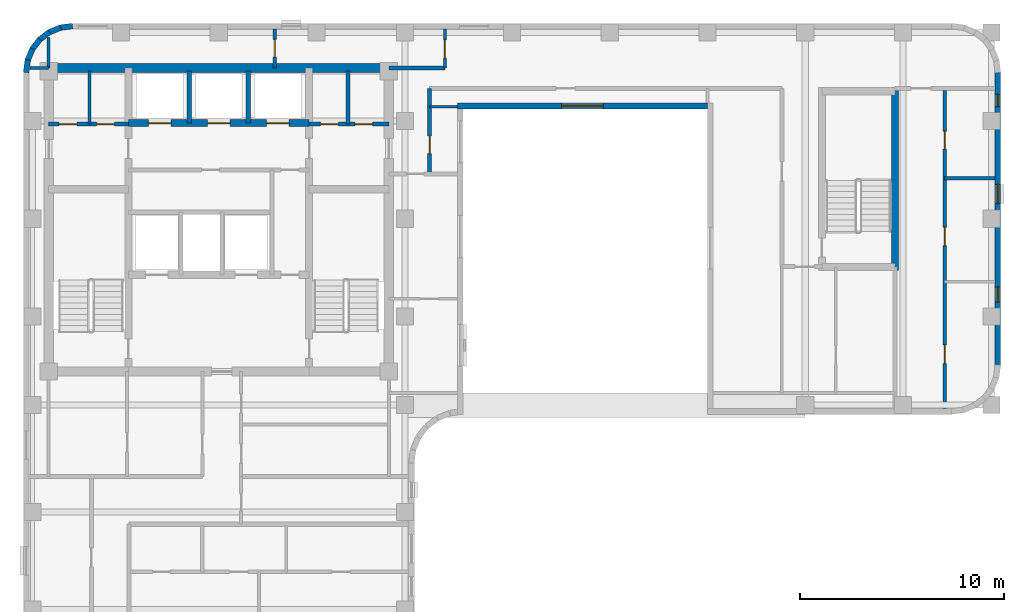
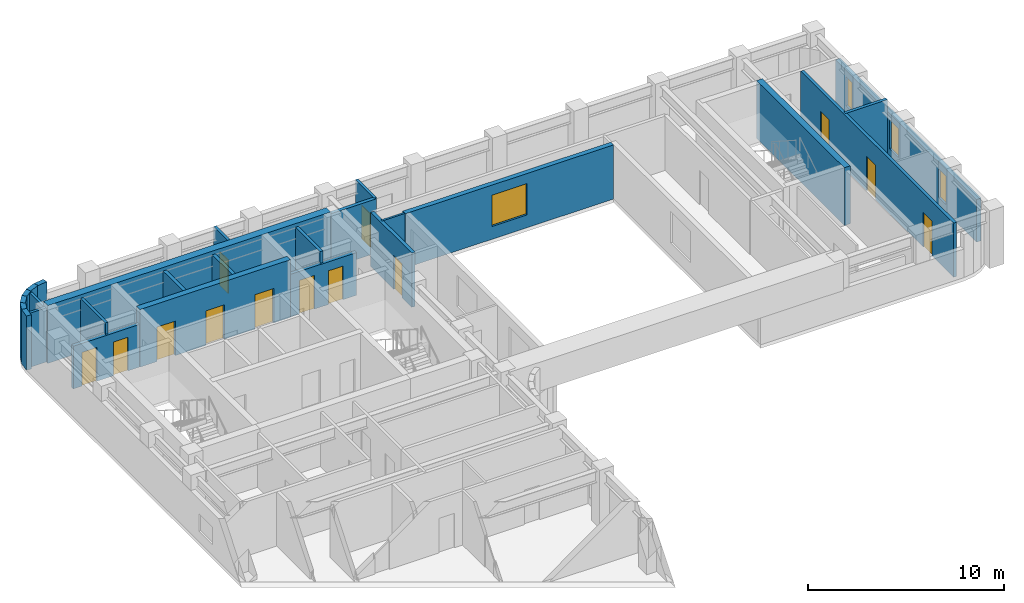
# One storey, part 5 of 8: 26 walls, 13 doors, 4 windows, 17 openings.
"""IFC4 building model written with IfcOpenShell, lengths in metres."""

from ifc_helpers import new_model, si_unit, direction, frame, frame_2d, origin, place, context, subcontext, project, spatial, rectangle, extrude, material, layer, layer_set, type_object, element, fill, save


model = new_model("IFC4")

# Units and contexts
model_context = context("Model", 3, precision=1e-05, world=origin(), true_north=direction((0.0, 1.0)))
body_context = subcontext(model_context, "Body", "Model", "MODEL_VIEW")
ifc_project = project(units=[si_unit("LENGTHUNIT", "METRE"), si_unit("AREAUNIT", "SQUARE_METRE"), si_unit("VOLUMEUNIT", "CUBIC_METRE"), si_unit("PLANEANGLEUNIT", "RADIAN"), si_unit("MASSUNIT", "GRAM", prefix="KILO")], contexts=[model_context])

# Site, building, storey
site_placement = place(None, origin())
site = spatial("IfcSite", under=ifc_project, at=site_placement, CompositionType="ELEMENT")
building_placement = place(site_placement, origin())
building = spatial("IfcBuilding", under=site, at=building_placement, Name="Orvandelia Arch Residences", CompositionType="ELEMENT")
storey_placement = place(building_placement, frame((0.0, 0.0, 203.800048828125)))
storey = spatial("IfcBuildingStorey", under=building, at=storey_placement, Name="L53", CompositionType="ELEMENT", Elevation=203.800048828125)

# Wall, openings, doors
ifc_material_1 = material(Name="Concrete C50/60", Category="concrete")
ifc_layer_1 = layer(ifc_material_1, 0.35009765625, Name="Concrete C50/60", Category="concrete")
ifc_layer_set_1 = layer_set([ifc_layer_1], Name="Concrete C50/60")
wall_type_1 = type_object("IfcWallType", Name="WL-CORE-350", PredefinedType="SHEAR", material=ifc_layer_set_1)
wall_1_placement = place(storey_placement, frame((9.9599609375, 43.10009765625, 0.0), z_axis=(0.0, 0.0, 1.0), x_axis=(1.0, 0.0, 0.0)))
wall_1 = element("IfcWall", 1, at=wall_1_placement, inside=storey, type_object=wall_type_1, Name="Core Shear Wall L53-HZ4", PredefinedType="SHEAR", context=body_context, shape_type="SweptSolid", body=[
    extrude(rectangle(XDim=8.880126953125, YDim=0.35009765625, at=frame_2d((4.43994140625, 0.0))), origin(), (0.0, 0.0, 1.0), 3.599853515625),
])
opening_1_placement = place(wall_1_placement, frame((0.989990234375, 0.0, 0.0)))
opening_1 = element("IfcOpeningElement", 2, at=opening_1_placement, cuts=wall_1, Name="Opening LD", PredefinedType="OPENING", context=body_context, shape_type="SweptSolid", body=[
    extrude(rectangle(XDim=1.10009765625, YDim=2.14990234375, at=frame_2d((0.550048828125, 1.074951171875))), frame((0.0, 0.18505859375, 0.0), z_axis=(0.0, -1.0, 0.0), x_axis=(1.0, 0.0, 0.0)), (0.0, 0.0, 1.0), 0.3701171875),
])
opening_2_placement = place(wall_1_placement, frame((3.889892578125, 0.0, 0.0)))
opening_2 = element("IfcOpeningElement", 3, at=opening_2_placement, cuts=wall_1, Name="Opening LD", PredefinedType="OPENING", context=body_context, shape_type="SweptSolid", body=[
    extrude(rectangle(XDim=1.10009765625, YDim=2.14990234375, at=frame_2d((0.550048828125, 1.074951171875))), frame((0.0, 0.18505859375, 0.0), z_axis=(0.0, -1.0, 0.0), x_axis=(1.0, 0.0, 0.0)), (0.0, 0.0, 1.0), 0.3701171875),
])
opening_3_placement = place(wall_1_placement, frame((6.7900390625, 0.0, 0.0)))
opening_3 = element("IfcOpeningElement", 4, at=opening_3_placement, cuts=wall_1, Name="Opening LD", PredefinedType="OPENING", context=body_context, shape_type="SweptSolid", body=[
    extrude(rectangle(XDim=1.10009765625, YDim=2.14990234375, at=frame_2d((0.550048828125, 1.074951171875))), frame((0.0, 0.18505859375, 0.0), z_axis=(0.0, -1.0, 0.0), x_axis=(1.0, 0.0, 0.0)), (0.0, 0.0, 1.0), 0.3701171875),
])
ifc_material_2 = material(Name="Brushed Stainless Steel Sliding Lift Door", Category="steel")
door_type_1 = type_object("IfcDoorType", Name="DR-LIFT-1100", OperationType="NOTDEFINED", PredefinedType="DOOR", material=ifc_material_2)
door_1_placement = place(opening_1_placement, origin())
door_1 = element("IfcDoor", 5, at=door_1_placement, inside=storey, type_object=door_type_1, Name="Lift Landing Door LD-PH1-L53", OperationType="SLIDING_TO_LEFT", OverallHeight=2.14990234375, OverallWidth=1.10009765625, PredefinedType="DOOR", context=body_context, shape_type="SweptSolid", body=[
    extrude(rectangle(XDim=1.10009765625, YDim=2.14990234375, at=frame_2d((0.550048828125, 1.074951171875))), frame((0.0, 0.02490234375, 0.0), z_axis=(0.0, -1.0, 0.0), x_axis=(1.0, 0.0, 0.0)), (0.0, 0.0, 1.0), 0.050048828125),
])
fill(opening_1, door_1)
door_2_placement = place(opening_2_placement, origin())
door_2 = element("IfcDoor", 6, at=door_2_placement, inside=storey, type_object=door_type_1, Name="Lift Landing Door LD-PH2-L53", OperationType="SLIDING_TO_RIGHT", OverallHeight=2.14990234375, OverallWidth=1.10009765625, PredefinedType="DOOR", context=body_context, shape_type="SweptSolid", body=[
    extrude(rectangle(XDim=1.10009765625, YDim=2.14990234375, at=frame_2d((0.550048828125, 1.074951171875))), frame((0.0, 0.02490234375, 0.0), z_axis=(0.0, -1.0, 0.0), x_axis=(1.0, 0.0, 0.0)), (0.0, 0.0, 1.0), 0.050048828125),
])
fill(opening_2, door_2)
door_3_placement = place(opening_3_placement, origin())
door_3 = element("IfcDoor", 7, at=door_3_placement, inside=storey, type_object=door_type_1, Name="Lift Landing Door LD-PH3-L53", OperationType="SLIDING_TO_LEFT", OverallHeight=2.14990234375, OverallWidth=1.10009765625, PredefinedType="DOOR", context=body_context, shape_type="SweptSolid", body=[
    extrude(rectangle(XDim=1.10009765625, YDim=2.14990234375, at=frame_2d((0.550048828125, 1.074951171875))), frame((0.0, 0.02490234375, 0.0), z_axis=(0.0, -1.0, 0.0), x_axis=(1.0, 0.0, 0.0)), (0.0, 0.0, 1.0), 0.050048828125),
])
fill(opening_3, door_3)

# Walls
wall_2_placement = place(storey_placement, frame((47.60009765625, 35.864990234375, 0.0), z_axis=(0.0, 0.0, 1.0), x_axis=(0.0, 1.0, 0.0)))
element("IfcWall", 8, at=wall_2_placement, inside=storey, type_object=wall_type_1, Name="East Stair Core Shear Wall L53-E", PredefinedType="SHEAR", context=body_context, shape_type="SweptSolid", body=[
    extrude(rectangle(XDim=8.969970703125, YDim=0.35009765625, at=frame_2d((4.48486328125, 0.0))), origin(), (0.0, 0.0, 1.0), 3.599853515625),
])
ifc_layer_2 = layer(ifc_material_1, 0.449951171875, Name="Concrete C50/60", Category="concrete")
ifc_layer_set_2 = layer_set([ifc_layer_2], Name="Concrete C50/60")
wall_type_2 = type_object("IfcWallType", Name="WL-CORE-450", PredefinedType="SHEAR", material=ifc_layer_set_2)
wall_3_placement = place(storey_placement, frame((6.050048828125, 45.800048828125, 0.0), z_axis=(0.0, 0.0, 1.0), x_axis=(1.0, 0.0, 0.0)))
element("IfcWall", 9, at=wall_3_placement, inside=storey, type_object=wall_type_2, Name="Core Shear Wall L53-N", PredefinedType="SHEAR", context=body_context, shape_type="SweptSolid", body=[
    extrude(rectangle(XDim=16.699951171875, YDim=0.449951171875, at=frame_2d((8.35009765625, 0.0))), origin(), (0.0, 0.0, 1.0), 3.599853515625),
])
ifc_material_3 = material(Name="Fire-Rated Corridor Partition")
ifc_layer_3 = layer(ifc_material_3, 0.199951171875, Name="Fire-Rated Corridor Partition")
ifc_layer_set_3 = layer_set([ifc_layer_3], Name="Fire-Rated Corridor Partition")
wall_type_3 = type_object("IfcWallType", Name="WL-CORR-200", PredefinedType="PARTITIONING", material=ifc_layer_set_3)
wall_4_placement = place(storey_placement, frame((22.75, 45.800048828125, 0.0), z_axis=(0.0, 0.0, 1.0), x_axis=(1.0, 0.0, 0.0)))
element("IfcWall", 10, at=wall_4_placement, inside=storey, type_object=wall_type_3, Name="Interior Partition Wall WL-L53-NCE-S", PredefinedType="PARTITIONING", context=body_context, shape_type="SweptSolid", body=[
    extrude(rectangle(XDim=2.75, YDim=0.199951171875, at=frame_2d((1.375, 0.0))), origin(), (0.0, 0.0, 1.0), 3.3798828125),
])

# Wall, opening, door
wall_5_placement = place(storey_placement, frame((24.75, 40.60009765625, 0.0), z_axis=(0.0, 0.0, 1.0), x_axis=(0.0, 1.0, 0.0)))
wall_5 = element("IfcWall", 11, at=wall_5_placement, inside=storey, type_object=wall_type_3, Name="Interior Partition Wall WL-L53-ENP-LW", PredefinedType="PARTITIONING", context=body_context, shape_type="SweptSolid", body=[
    extrude(rectangle(XDim=4.199951171875, YDim=0.199951171875, at=frame_2d((2.10009765625, 0.0))), origin(), (0.0, 0.0, 1.0), 3.3798828125),
])
opening_4_placement = place(wall_5_placement, frame((1.0, 0.0, 0.0)))
opening_4 = element("IfcOpeningElement", 12, at=opening_4_placement, cuts=wall_5, Name="Opening D4", PredefinedType="OPENING", context=body_context, shape_type="SweptSolid", body=[
    extrude(rectangle(XDim=0.860107421875, YDim=2.10009765625, at=frame_2d((0.43017578125, 1.050048828125))), frame((0.0, 0.10986328125, 0.0), z_axis=(0.0, -1.0, 0.0), x_axis=(1.0, 0.0, 0.0)), (0.0, 0.0, 1.0), 0.219970703125),
])
ifc_material_4 = material(Name="Moisture-Sealed Timber Bathroom Door", Category="wood")
door_type_2 = type_object("IfcDoorType", Name="DR-WET-900", OperationType="NOTDEFINED", PredefinedType="DOOR", material=ifc_material_4)
door_4_placement = place(opening_4_placement, origin())
door_4 = element("IfcDoor", 13, at=door_4_placement, inside=storey, type_object=door_type_2, Name="DR-L53-VPWNK", OperationType="SINGLE_SWING_RIGHT", OverallHeight=2.10009765625, OverallWidth=0.860107421875, PredefinedType="DOOR", context=body_context, shape_type="SweptSolid", body=[
    extrude(rectangle(XDim=0.860107421875, YDim=2.10009765625, at=frame_2d((0.43017578125, 1.050048828125))), frame((0.0, 0.02490234375, 0.0), z_axis=(0.0, -1.0, 0.0), x_axis=(1.0, 0.0, 0.0)), (0.0, 0.0, 1.0), 0.050048828125),
])
fill(opening_4, door_4)

# Walls
ifc_material_5 = material(Name="Precast concrete C40/50", Category="concrete")
ifc_layer_4 = layer(ifc_material_5, 0.280029296875, Name="Precast concrete C40/50", Category="concrete")
ifc_layer_set_4 = layer_set([ifc_layer_4], Name="Precast concrete C40/50")
wall_type_4 = type_object("IfcWallType", Name="WL-EXT-STONE-280", PredefinedType="STANDARD", material=ifc_layer_set_4)
for number, where, z_axis, x_axis, name in (
    (14, (4.938720703125, 45.581787109375, 0.0), (0.0, 0.0, 1.0), (0.130555323746, 0.9914410257, 0.0), "Coral-Limestone Precast Facade Wall L53-001"),
    (15, (5.010986328125, 46.16748046875, 0.0), (0.0, 0.0, 1.0), (0.382650053678, 0.92389335771, 0.0), "Coral-Limestone Precast Facade Wall L53-002"),
    (16, (5.232666015625, 46.71484375, 0.0), (0.0, 0.0, 1.0), (0.608693302629, 0.793405610854, 0.0), "Coral-Limestone Precast Facade Wall L53-003"),
    (17, (5.588134765625, 47.18603515625, 0.0), (0.0, 0.0, 1.0), (0.793405610854, 0.608693302629, 0.0), "Coral-Limestone Precast Facade Wall L53-004"),
):
    element("IfcWall", number, at=place(storey_placement, frame(where, z_axis=z_axis, x_axis=x_axis)), inside=storey, type_object=wall_type_4, Name=name, PredefinedType="STANDARD", context=body_context, shape_type="SweptSolid", body=[
        extrude(rectangle(XDim=0.62646484375, YDim=0.280029296875, at=frame_2d((0.313232421875, 0.0))), origin(), (0.0, 0.0, 1.0), 3.3798828125),
    ])
wall_6_placement = place(storey_placement, frame((6.0537109375, 47.54931640625, 0.0), z_axis=(0.0, 0.0, 1.0), x_axis=(0.923974080304, 0.382455093999, 0.0)))
element("IfcWall", 18, at=wall_6_placement, inside=storey, type_object=wall_type_4, Name="Coral-Limestone Precast Facade Wall L53-005", PredefinedType="STANDARD", context=body_context, shape_type="SweptSolid", body=[
    extrude(rectangle(XDim=0.626220703125, YDim=0.280029296875, at=frame_2d((0.31298828125, 0.0))), origin(), (0.0, 0.0, 1.0), 3.3798828125),
])
wall_7_placement = place(storey_placement, frame((6.59716796875, 47.779296875, 0.0), z_axis=(0.0, 0.0, 1.0), x_axis=(0.9914410257, 0.130555323746, 0.0)))
element("IfcWall", 19, at=wall_7_placement, inside=storey, type_object=wall_type_4, Name="Coral-Limestone Precast Facade Wall L53-006", PredefinedType="STANDARD", context=body_context, shape_type="SweptSolid", body=[
    extrude(rectangle(XDim=0.62646484375, YDim=0.280029296875, at=frame_2d((0.313232421875, 0.0))), origin(), (0.0, 0.0, 1.0), 3.3798828125),
])

# Wall, openings, windows
wall_8_placement = place(storey_placement, frame((52.659912109375, 45.60009765625, 0.0), z_axis=(0.0, 0.0, 1.0), x_axis=(0.0, -1.0, 0.0)))
wall_8 = element("IfcWall", 20, at=wall_8_placement, inside=storey, type_object=wall_type_4, Name="Coral-Limestone Precast Facade Wall L53-014", PredefinedType="STANDARD", context=body_context, shape_type="SweptSolid", body=[
    extrude(rectangle(XDim=14.400146484375, YDim=0.280029296875, at=frame_2d((7.2001953125, 0.0))), origin(), (0.0, 0.0, 1.0), 2.659912109375),
])
opening_5_placement = place(wall_8_placement, frame((10.54443359375, 0.0, 0.449951171875)))
opening_5 = element("IfcOpeningElement", 21, at=opening_5_placement, cuts=wall_8, Name="Opening W11", PredefinedType="OPENING", context=body_context, shape_type="SweptSolid", body=[
    extrude(rectangle(XDim=0.75, YDim=1.800048828125, at=frame_2d((0.375, 0.89990234375))), frame((0.0, 0.14990234375, 0.0), z_axis=(0.0, -1.0, 0.0), x_axis=(1.0, 0.0, 0.0)), (0.0, 0.0, 1.0), 0.300048828125),
])
opening_6_placement = place(wall_8_placement, frame((1.08740234375, 0.0, 0.449951171875)))
opening_6 = element("IfcOpeningElement", 22, at=opening_6_placement, cuts=wall_8, Name="Opening W12", PredefinedType="OPENING", context=body_context, shape_type="SweptSolid", body=[
    extrude(rectangle(XDim=0.60009765625, YDim=1.800048828125, at=frame_2d((0.300048828125, 0.89990234375))), frame((0.0, 0.14990234375, 0.0), z_axis=(0.0, -1.0, 0.0), x_axis=(1.0, 0.0, 0.0)), (0.0, 0.0, 1.0), 0.300048828125),
])
opening_7_placement = place(wall_8_placement, frame((5.510986328125, 0.0, 0.449951171875)))
opening_7 = element("IfcOpeningElement", 23, at=opening_7_placement, cuts=wall_8, Name="Opening W4", PredefinedType="OPENING", context=body_context, shape_type="SweptSolid", body=[
    extrude(rectangle(XDim=0.949951171875, YDim=1.800048828125, at=frame_2d((0.47509765625, 0.89990234375))), frame((0.0, 0.14990234375, 0.0), z_axis=(0.0, -1.0, 0.0), x_axis=(1.0, 0.0, 0.0)), (0.0, 0.0, 1.0), 0.300048828125),
])
ifc_material_6 = material(Name="Tempered Low-E Insulated Glazing", Category="glass")
window_type_1 = type_object("IfcWindowType", Name="WIN-BED-0750x1800", PartitioningType="SINGLE_PANEL", PredefinedType="WINDOW", material=ifc_material_6)
window_1_placement = place(opening_5_placement, origin())
window_1 = element("IfcWindow", 24, at=window_1_placement, inside=storey, type_object=window_type_1, Name="Recessed Punched Window L53-004", OverallHeight=1.800048828125, OverallWidth=0.75, PartitioningType="SINGLE_PANEL", PredefinedType="WINDOW", context=body_context, shape_type="SweptSolid", body=[
    extrude(rectangle(XDim=0.75, YDim=1.800048828125, at=frame_2d((0.375, 0.89990234375))), frame((0.0, 0.030029296875, 0.0), z_axis=(0.0, -1.0, 0.0), x_axis=(1.0, 0.0, 0.0)), (0.0, 0.0, 1.0), 0.06005859375),
])
fill(opening_5, window_1)
window_type_2 = type_object("IfcWindowType", Name="WIN-LAN-0600x1800", PartitioningType="SINGLE_PANEL", PredefinedType="WINDOW", material=ifc_material_6)
window_2_placement = place(opening_6_placement, origin())
window_2 = element("IfcWindow", 25, at=window_2_placement, inside=storey, type_object=window_type_2, Name="Recessed Punched Window L53-005", OverallHeight=1.800048828125, OverallWidth=0.60009765625, PartitioningType="SINGLE_PANEL", PredefinedType="WINDOW", context=body_context, shape_type="SweptSolid", body=[
    extrude(rectangle(XDim=0.60009765625, YDim=1.800048828125, at=frame_2d((0.300048828125, 0.89990234375))), frame((0.0, 0.030029296875, 0.0), z_axis=(0.0, -1.0, 0.0), x_axis=(1.0, 0.0, 0.0)), (0.0, 0.0, 1.0), 0.06005859375),
])
fill(opening_6, window_2)
window_type_3 = type_object("IfcWindowType", Name="WIN-RES-0950x1800", PartitioningType="SINGLE_PANEL", PredefinedType="WINDOW", material=ifc_material_6)
window_3_placement = place(opening_7_placement, origin())
window_3 = element("IfcWindow", 26, at=window_3_placement, inside=storey, type_object=window_type_3, Name="Recessed Punched Window L53-006", OverallHeight=1.800048828125, OverallWidth=0.949951171875, PartitioningType="SINGLE_PANEL", PredefinedType="WINDOW", context=body_context, shape_type="SweptSolid", body=[
    extrude(rectangle(XDim=0.949951171875, YDim=1.800048828125, at=frame_2d((0.47509765625, 0.89990234375))), frame((0.0, 0.030029296875, 0.0), z_axis=(0.0, -1.0, 0.0), x_axis=(1.0, 0.0, 0.0)), (0.0, 0.0, 1.0), 0.06005859375),
])
fill(opening_7, window_3)

# Wall, opening, window
wall_9_placement = place(storey_placement, frame((38.39990234375, 43.93994140625, 0.0), z_axis=(0.0, 0.0, 1.0), x_axis=(-1.0, 0.0, 0.0)))
wall_9 = element("IfcWall", 27, at=wall_9_placement, inside=storey, type_object=wall_type_4, Name="Coral-Limestone Precast Facade Wall L53-023", PredefinedType="STANDARD", context=body_context, shape_type="SweptSolid", body=[
    extrude(rectangle(XDim=12.27978515625, YDim=0.280029296875, at=frame_2d((6.139892578125, 0.0))), origin(), (0.0, 0.0, 1.0), 3.3798828125),
])
opening_8_placement = place(wall_9_placement, frame((5.114990234375, 0.0, 0.800048828125)))
opening_8 = element("IfcOpeningElement", 28, at=opening_8_placement, cuts=wall_9, Name="Opening W8", PredefinedType="OPENING", context=body_context, shape_type="SweptSolid", body=[
    extrude(rectangle(XDim=2.050048828125, YDim=1.949951171875, at=frame_2d((1.02490234375, 0.97509765625))), frame((0.0, 0.14990234375, 0.0), z_axis=(0.0, -1.0, 0.0), x_axis=(1.0, 0.0, 0.0)), (0.0, 0.0, 1.0), 0.300048828125),
])
window_type_4 = type_object("IfcWindowType", Name="WIN-UPP-2050x1950", PartitioningType="SINGLE_PANEL", PredefinedType="WINDOW", material=ifc_material_6)
window_4_placement = place(opening_8_placement, origin())
window_4 = element("IfcWindow", 29, at=window_4_placement, inside=storey, type_object=window_type_4, Name="Recessed Punched Window L53-008", OverallHeight=1.949951171875, OverallWidth=2.050048828125, PartitioningType="SINGLE_PANEL", PredefinedType="WINDOW", context=body_context, shape_type="SweptSolid", body=[
    extrude(rectangle(XDim=2.050048828125, YDim=1.949951171875, at=frame_2d((1.02490234375, 0.97509765625))), frame((0.0, 0.030029296875, 0.0), z_axis=(0.0, -1.0, 0.0), x_axis=(1.0, 0.0, 0.0)), (0.0, 0.0, 1.0), 0.06005859375),
])
fill(opening_8, window_4)

# Walls
ifc_material_7 = material(Name="Lightweight Gypsum Stud Partition")
ifc_layer_5 = layer(ifc_material_7, 0.1201171875, Name="Lightweight Gypsum Stud Partition")
ifc_layer_set_5 = layer_set([ifc_layer_5], Name="Lightweight Gypsum Stud Partition")
wall_type_5 = type_object("IfcWallType", Name="WL-PART-120", PredefinedType="PARTITIONING", material=ifc_layer_set_5)
wall_10_placement = place(storey_placement, frame((24.75, 43.89990234375, 0.0), z_axis=(0.0, 0.0, 1.0), x_axis=(1.0, 0.0, 0.0)))
element("IfcWall", 30, at=wall_10_placement, inside=storey, type_object=wall_type_5, Name="Interior Partition Wall WL-L53-VPWNK-N", PredefinedType="PARTITIONING", context=body_context, shape_type="SweptSolid", body=[
    extrude(rectangle(XDim=1.3701171875, YDim=0.1201171875, at=frame_2d((0.68505859375, 0.0))), origin(), (0.0, 0.0, 1.0), 3.3798828125),
])
ifc_material_8 = material(Name="Acoustic Gypsum Stud Partition")
ifc_layer_6 = layer(ifc_material_8, 0.14990234375, Name="Acoustic Gypsum Stud Partition")
ifc_layer_set_6 = layer_set([ifc_layer_6], Name="Acoustic Gypsum Stud Partition")
wall_type_6 = type_object("IfcWallType", Name="WL-PART-150", PredefinedType="PARTITIONING", material=ifc_layer_set_6)
wall_11_placement = place(storey_placement, frame((8.06005859375, 43.050048828125, 0.0), z_axis=(0.0, 0.0, 1.0), x_axis=(0.0, 1.0, 0.0)))
element("IfcWall", 31, at=wall_11_placement, inside=storey, type_object=wall_type_6, Name="Interior Partition Wall WL-L53-CRELC-M", PredefinedType="PARTITIONING", context=body_context, shape_type="SweptSolid", body=[
    extrude(rectangle(XDim=2.599853515625, YDim=0.14990234375, at=frame_2d((1.2998046875, 0.0))), origin(), (0.0, 0.0, 1.0), 3.3798828125),
])
wall_12_placement = place(storey_placement, frame((5.1201171875, 45.800048828125, 0.0), z_axis=(0.0, 0.0, 1.0), x_axis=(1.0, 0.0, 0.0)))
element("IfcWall", 32, at=wall_12_placement, inside=storey, type_object=wall_type_6, Name="Interior Partition Wall WL-L53-WF-N", PredefinedType="PARTITIONING", context=body_context, shape_type="SweptSolid", body=[
    extrude(rectangle(XDim=0.929931640625, YDim=0.14990234375, at=frame_2d((0.46484375, 0.0))), origin(), (0.0, 0.0, 1.0), 3.3798828125),
])

# Wall, opening, door
wall_13_placement = place(storey_placement, frame((25.5, 45.800048828125, 0.0), z_axis=(0.0, 0.0, 1.0), x_axis=(0.0, 1.0, 0.0)))
wall_13 = element("IfcWall", 33, at=wall_13_placement, inside=storey, type_object=wall_type_6, Name="Interior Partition Wall WL-L53-NCE-W", PredefinedType="PARTITIONING", context=body_context, shape_type="SweptSolid", body=[
    extrude(rectangle(XDim=1.919921875, YDim=0.14990234375, at=frame_2d((0.9599609375, 0.0))), origin(), (0.0, 0.0, 1.0), 3.3798828125),
])
opening_9_placement = place(wall_13_placement, frame((0.5, 0.0, 0.0)))
opening_9 = element("IfcOpeningElement", 34, at=opening_9_placement, cuts=wall_13, Name="Opening D5", PredefinedType="OPENING", context=body_context, shape_type="SweptSolid", body=[
    extrude(rectangle(XDim=0.8798828125, YDim=2.10009765625, at=frame_2d((0.43994140625, 1.050048828125))), frame((0.0, 0.0849609375, 0.0), z_axis=(0.0, -1.0, 0.0), x_axis=(1.0, 0.0, 0.0)), (0.0, 0.0, 1.0), 0.169921875),
])
ifc_material_9 = material(Name="Painted Galvanised Steel Service Door", Category="steel")
door_type_3 = type_object("IfcDoorType", Name="DR-SRV-880", OperationType="NOTDEFINED", PredefinedType="DOOR", material=ifc_material_9)
door_5_placement = place(opening_9_placement, origin())
door_5 = element("IfcDoor", 35, at=door_5_placement, inside=storey, type_object=door_type_3, Name="DR-L53-NCS2", OperationType="SINGLE_SWING_LEFT", OverallHeight=2.10009765625, OverallWidth=0.8798828125, PredefinedType="DOOR", context=body_context, shape_type="SweptSolid", body=[
    extrude(rectangle(XDim=0.8798828125, YDim=2.10009765625, at=frame_2d((0.43994140625, 1.050048828125))), frame((0.0, 0.02490234375, 0.0), z_axis=(0.0, -1.0, 0.0), x_axis=(1.0, 0.0, 0.0)), (0.0, 0.0, 1.0), 0.050048828125),
])
fill(opening_9, door_5)

# Wall
wall_14_placement = place(storey_placement, frame((6.050048828125, 45.800048828125, 0.0), z_axis=(0.0, 0.0, 1.0), x_axis=(0.0, 1.0, 0.0)))
element("IfcWall", 36, at=wall_14_placement, inside=storey, type_object=wall_type_6, Name="Interior Partition Wall WL-L53-NC-W6", PredefinedType="PARTITIONING", context=body_context, shape_type="SweptSolid", body=[
    extrude(rectangle(XDim=1.5, YDim=0.14990234375, at=frame_2d((0.75, 0.0))), origin(), (0.0, 0.0, 1.0), 3.3798828125),
])

# Wall, opening, door
wall_15_placement = place(storey_placement, frame((17.14990234375, 45.800048828125, 0.0), z_axis=(0.0, 0.0, 1.0), x_axis=(0.0, 1.0, 0.0)))
wall_15 = element("IfcWall", 37, at=wall_15_placement, inside=storey, type_object=wall_type_6, Name="Interior Partition Wall WL-L53-NC-M", PredefinedType="PARTITIONING", context=body_context, shape_type="SweptSolid", body=[
    extrude(rectangle(XDim=1.919921875, YDim=0.14990234375, at=frame_2d((0.9599609375, 0.0))), origin(), (0.0, 0.0, 1.0), 3.3798828125),
])
opening_10_placement = place(wall_15_placement, frame((0.550048828125, 0.0, 0.0)))
opening_10 = element("IfcOpeningElement", 38, at=opening_10_placement, cuts=wall_15, Name="Opening D4", PredefinedType="OPENING", context=body_context, shape_type="SweptSolid", body=[
    extrude(rectangle(XDim=0.860107421875, YDim=2.10009765625, at=frame_2d((0.43017578125, 1.050048828125))), frame((0.0, 0.0849609375, 0.0), z_axis=(0.0, -1.0, 0.0), x_axis=(1.0, 0.0, 0.0)), (0.0, 0.0, 1.0), 0.169921875),
])
door_6_placement = place(opening_10_placement, origin())
door_6 = element("IfcDoor", 39, at=door_6_placement, inside=storey, type_object=door_type_2, Name="DR-L53-NCS1", OperationType="SINGLE_SWING_LEFT", OverallHeight=2.10009765625, OverallWidth=0.860107421875, PredefinedType="DOOR", context=body_context, shape_type="SweptSolid", body=[
    extrude(rectangle(XDim=0.860107421875, YDim=2.10009765625, at=frame_2d((0.43017578125, 1.050048828125))), frame((0.0, 0.02490234375, 0.0), z_axis=(0.0, -1.0, 0.0), x_axis=(1.0, 0.0, 0.0)), (0.0, 0.0, 1.0), 0.050048828125),
])
fill(opening_10, door_6)

# Wall, openings, doors
ifc_material_10 = material(Name="Fire-Rated Shaft Enclosure Wall")
ifc_layer_7 = layer(ifc_material_10, 0.199951171875, Name="Fire-Rated Shaft Enclosure Wall")
ifc_layer_set_7 = layer_set([ifc_layer_7], Name="Fire-Rated Shaft Enclosure Wall")
wall_type_7 = type_object("IfcWallType", Name="WL-SHAFT-200", PredefinedType="POLYGONAL", material=ifc_layer_set_7)
wall_16_placement = place(storey_placement, frame((18.840087890625, 43.050048828125, 0.0), z_axis=(0.0, 0.0, 1.0), x_axis=(1.0, 0.0, 0.0)))
wall_16 = element("IfcWall", 40, at=wall_16_placement, inside=storey, type_object=wall_type_7, Name="Interior Partition Wall WL-L53-HLE-N", PredefinedType="POLYGONAL", context=body_context, shape_type="SweptSolid", body=[
    extrude(rectangle(XDim=3.909912109375, YDim=0.199951171875, at=frame_2d((1.955078125, 0.0))), origin(), (0.0, 0.0, 1.0), 2.659912109375),
])
opening_11_placement = place(wall_16_placement, frame((0.550048828125, 0.0, 0.0)))
opening_11 = element("IfcOpeningElement", 41, at=opening_11_placement, cuts=wall_16, Name="Opening D5", PredefinedType="OPENING", context=body_context, shape_type="SweptSolid", body=[
    extrude(rectangle(XDim=0.8798828125, YDim=2.10009765625, at=frame_2d((0.43994140625, 1.050048828125))), frame((0.0, 0.10986328125, 0.0), z_axis=(0.0, -1.0, 0.0), x_axis=(1.0, 0.0, 0.0)), (0.0, 0.0, 1.0), 0.219970703125),
])
opening_12_placement = place(wall_16_placement, frame((2.25, 0.0, 0.0)))
opening_12 = element("IfcOpeningElement", 42, at=opening_12_placement, cuts=wall_16, Name="Opening D4", PredefinedType="OPENING", context=body_context, shape_type="SweptSolid", body=[
    extrude(rectangle(XDim=0.860107421875, YDim=2.10009765625, at=frame_2d((0.43017578125, 1.050048828125))), frame((0.0, 0.10986328125, 0.0), z_axis=(0.0, -1.0, 0.0), x_axis=(1.0, 0.0, 0.0)), (0.0, 0.0, 1.0), 0.219970703125),
])
door_7_placement = place(opening_11_placement, origin())
door_7 = element("IfcDoor", 43, at=door_7_placement, inside=storey, type_object=door_type_3, Name="DR-L53-CSB1", OperationType="SINGLE_SWING_LEFT", OverallHeight=2.10009765625, OverallWidth=0.8798828125, PredefinedType="DOOR", context=body_context, shape_type="SweptSolid", body=[
    extrude(rectangle(XDim=0.8798828125, YDim=2.10009765625, at=frame_2d((0.43994140625, 1.050048828125))), frame((0.0, 0.02490234375, 0.0), z_axis=(0.0, -1.0, 0.0), x_axis=(1.0, 0.0, 0.0)), (0.0, 0.0, 1.0), 0.050048828125),
])
fill(opening_11, door_7)
door_8_placement = place(opening_12_placement, origin())
door_8 = element("IfcDoor", 44, at=door_8_placement, inside=storey, type_object=door_type_2, Name="DR-L53-CSB2", OperationType="SINGLE_SWING_RIGHT", OverallHeight=2.10009765625, OverallWidth=0.860107421875, PredefinedType="DOOR", context=body_context, shape_type="SweptSolid", body=[
    extrude(rectangle(XDim=0.860107421875, YDim=2.10009765625, at=frame_2d((0.43017578125, 1.050048828125))), frame((0.0, 0.02490234375, 0.0), z_axis=(0.0, -1.0, 0.0), x_axis=(1.0, 0.0, 0.0)), (0.0, 0.0, 1.0), 0.050048828125),
])
fill(opening_12, door_8)

wall_17_placement = place(storey_placement, frame((6.050048828125, 43.050048828125, 0.0), z_axis=(0.0, 0.0, 1.0), x_axis=(1.0, 0.0, 0.0)))
wall_17 = element("IfcWall", 45, at=wall_17_placement, inside=storey, type_object=wall_type_7, Name="Interior Partition Wall WL-L53-HLW-N", PredefinedType="POLYGONAL", context=body_context, shape_type="SweptSolid", body=[
    extrude(rectangle(XDim=3.909912109375, YDim=0.199951171875, at=frame_2d((1.955078125, 0.0))), origin(), (0.0, 0.0, 1.0), 2.659912109375),
])
opening_13_placement = place(wall_17_placement, frame((0.5, 0.0, 0.0)))
opening_13 = element("IfcOpeningElement", 46, at=opening_13_placement, cuts=wall_17, Name="Opening D5", PredefinedType="OPENING", context=body_context, shape_type="SweptSolid", body=[
    extrude(rectangle(XDim=0.8798828125, YDim=2.10009765625, at=frame_2d((0.43994140625, 1.050048828125))), frame((0.0, 0.10986328125, 0.0), z_axis=(0.0, -1.0, 0.0), x_axis=(1.0, 0.0, 0.0)), (0.0, 0.0, 1.0), 0.219970703125),
])
opening_14_placement = place(wall_17_placement, frame((2.35009765625, 0.0, 0.0)))
opening_14 = element("IfcOpeningElement", 47, at=opening_14_placement, cuts=wall_17, Name="Opening D5", PredefinedType="OPENING", context=body_context, shape_type="SweptSolid", body=[
    extrude(rectangle(XDim=0.8798828125, YDim=2.10009765625, at=frame_2d((0.43994140625, 1.050048828125))), frame((0.0, 0.10986328125, 0.0), z_axis=(0.0, -1.0, 0.0), x_axis=(1.0, 0.0, 0.0)), (0.0, 0.0, 1.0), 0.219970703125),
])
door_9_placement = place(opening_13_placement, origin())
door_9 = element("IfcDoor", 48, at=door_9_placement, inside=storey, type_object=door_type_3, Name="DR-L53-CRELC1", OperationType="SINGLE_SWING_LEFT", OverallHeight=2.10009765625, OverallWidth=0.8798828125, PredefinedType="DOOR", context=body_context, shape_type="SweptSolid", body=[
    extrude(rectangle(XDim=0.8798828125, YDim=2.10009765625, at=frame_2d((0.43994140625, 1.050048828125))), frame((0.0, 0.02490234375, 0.0), z_axis=(0.0, -1.0, 0.0), x_axis=(1.0, 0.0, 0.0)), (0.0, 0.0, 1.0), 0.050048828125),
])
fill(opening_13, door_9)
door_10_placement = place(opening_14_placement, origin())
door_10 = element("IfcDoor", 49, at=door_10_placement, inside=storey, type_object=door_type_3, Name="DR-L53-CRELC2", OperationType="SINGLE_SWING_RIGHT", OverallHeight=2.10009765625, OverallWidth=0.8798828125, PredefinedType="DOOR", context=body_context, shape_type="SweptSolid", body=[
    extrude(rectangle(XDim=0.8798828125, YDim=2.10009765625, at=frame_2d((0.43994140625, 1.050048828125))), frame((0.0, 0.02490234375, 0.0), z_axis=(0.0, -1.0, 0.0), x_axis=(1.0, 0.0, 0.0)), (0.0, 0.0, 1.0), 0.050048828125),
])
fill(opening_14, door_10)

# Walls
for number, where, z_axis, x_axis, name in (
    (50, (12.949951171875, 43.10009765625, 0.0), (0.0, 0.0, 1.0), (0.0, 1.0, 0.0), "Interior Partition Wall WL-L53-PHD1"),
    (51, (15.85009765625, 43.10009765625, 0.0), (0.0, 0.0, 1.0), (0.0, 1.0, 0.0), "Interior Partition Wall WL-L53-PHD2"),
):
    element("IfcWall", number, at=place(storey_placement, frame(where, z_axis=z_axis, x_axis=x_axis)), inside=storey, type_object=wall_type_7, Name=name, PredefinedType="POLYGONAL", context=body_context, shape_type="SweptSolid", body=[
        extrude(rectangle(XDim=2.5498046875, YDim=0.199951171875, at=frame_2d((1.27490234375, 0.0))), origin(), (0.0, 0.0, 1.0), 3.3798828125),
    ])
ifc_material_11 = material(Name="Moisture-Resistant Plumbing Wall")
ifc_layer_8 = layer(ifc_material_11, 0.179931640625, Name="Moisture-Resistant Plumbing Wall")
ifc_layer_set_8 = layer_set([ifc_layer_8], Name="Moisture-Resistant Plumbing Wall")
wall_type_8 = type_object("IfcWallType", Name="WL-WET-180", PredefinedType="PLUMBINGWALL", material=ifc_layer_set_8)
wall_18_placement = place(storey_placement, frame((20.75, 43.050048828125, 0.0), z_axis=(0.0, 0.0, 1.0), x_axis=(0.0, 1.0, 0.0)))
element("IfcWall", 52, at=wall_18_placement, inside=storey, type_object=wall_type_8, Name="Interior Partition Wall WL-L53-CSB-1", PredefinedType="PLUMBINGWALL", context=body_context, shape_type="SweptSolid", body=[
    extrude(rectangle(XDim=2.599853515625, YDim=0.179931640625, at=frame_2d((1.2998046875, 0.0))), origin(), (0.0, 0.0, 1.0), 3.3798828125),
])

# Wall, openings, doors
wall_19_placement = place(storey_placement, frame((50.04296875, 29.080078125, 0.0), z_axis=(0.0, 0.0, 1.0), x_axis=(0.0, 1.0, 0.0)))
wall_19 = element("IfcWall", 53, at=wall_19_placement, inside=storey, type_object=wall_type_8, Name="Interior Partition Wall WL-L53-U03-VT", PredefinedType="PLUMBINGWALL", context=body_context, shape_type="SweptSolid", body=[
    extrude(rectangle(XDim=15.619873046875, YDim=0.179931640625, at=frame_2d((7.81005859375, 0.0))), origin(), (0.0, 0.0, 1.0), 3.3798828125),
])
opening_15_placement = place(wall_19_placement, frame((2.22265625, 0.0, 0.0)))
opening_15 = element("IfcOpeningElement", 54, at=opening_15_placement, cuts=wall_19, Name="Opening D3", PredefinedType="OPENING", context=body_context, shape_type="SweptSolid", body=[
    extrude(rectangle(XDim=0.89990234375, YDim=2.14990234375, at=frame_2d((0.449951171875, 1.074951171875))), frame((0.0, 0.10009765625, 0.0), z_axis=(0.0, -1.0, 0.0), x_axis=(1.0, 0.0, 0.0)), (0.0, 0.0, 1.0), 0.199951171875),
])
opening_16_placement = place(wall_19_placement, frame((7.998779296875, 0.0, 0.0)))
opening_16 = element("IfcOpeningElement", 55, at=opening_16_placement, cuts=wall_19, Name="Opening D3", PredefinedType="OPENING", context=body_context, shape_type="SweptSolid", body=[
    extrude(rectangle(XDim=0.89990234375, YDim=2.14990234375, at=frame_2d((0.449951171875, 1.074951171875))), frame((0.0, 0.10009765625, 0.0), z_axis=(0.0, -1.0, 0.0), x_axis=(1.0, 0.0, 0.0)), (0.0, 0.0, 1.0), 0.199951171875),
])
opening_17_placement = place(wall_19_placement, frame((12.75048828125, 0.0, 0.0)))
opening_17 = element("IfcOpeningElement", 56, at=opening_17_placement, cuts=wall_19, Name="Opening D4", PredefinedType="OPENING", context=body_context, shape_type="SweptSolid", body=[
    extrude(rectangle(XDim=0.860107421875, YDim=2.10009765625, at=frame_2d((0.43017578125, 1.050048828125))), frame((0.0, 0.10009765625, 0.0), z_axis=(0.0, -1.0, 0.0), x_axis=(1.0, 0.0, 0.0)), (0.0, 0.0, 1.0), 0.199951171875),
])
ifc_material_12 = material(Name="Engineered Timber Flush Door", Category="wood")
door_type_4 = type_object("IfcDoorType", Name="DR-INT-900", OperationType="NOTDEFINED", PredefinedType="DOOR", material=ifc_material_12)
door_11_placement = place(opening_15_placement, origin())
door_11 = element("IfcDoor", 57, at=door_11_placement, inside=storey, type_object=door_type_4, Name="DR-L53-U03-BD1", OperationType="SINGLE_SWING_LEFT", OverallHeight=2.14990234375, OverallWidth=0.89990234375, PredefinedType="DOOR", context=body_context, shape_type="SweptSolid", body=[
    extrude(rectangle(XDim=0.89990234375, YDim=2.14990234375, at=frame_2d((0.449951171875, 1.074951171875))), frame((0.0, 0.02490234375, 0.0), z_axis=(0.0, -1.0, 0.0), x_axis=(1.0, 0.0, 0.0)), (0.0, 0.0, 1.0), 0.050048828125),
])
fill(opening_15, door_11)
door_12_placement = place(opening_16_placement, origin())
door_12 = element("IfcDoor", 58, at=door_12_placement, inside=storey, type_object=door_type_4, Name="DR-L53-U03-KIT", OperationType="SINGLE_SWING_RIGHT", OverallHeight=2.14990234375, OverallWidth=0.89990234375, PredefinedType="DOOR", context=body_context, shape_type="SweptSolid", body=[
    extrude(rectangle(XDim=0.89990234375, YDim=2.14990234375, at=frame_2d((0.449951171875, 1.074951171875))), frame((0.0, 0.02490234375, 0.0), z_axis=(0.0, -1.0, 0.0), x_axis=(1.0, 0.0, 0.0)), (0.0, 0.0, 1.0), 0.050048828125),
])
fill(opening_16, door_12)
door_13_placement = place(opening_17_placement, origin())
door_13 = element("IfcDoor", 59, at=door_13_placement, inside=storey, type_object=door_type_2, Name="DR-L53-U03-BTH", OperationType="SINGLE_SWING_LEFT", OverallHeight=2.10009765625, OverallWidth=0.860107421875, PredefinedType="DOOR", context=body_context, shape_type="SweptSolid", body=[
    extrude(rectangle(XDim=0.860107421875, YDim=2.10009765625, at=frame_2d((0.43017578125, 1.050048828125))), frame((0.0, 0.02490234375, 0.0), z_axis=(0.0, -1.0, 0.0), x_axis=(1.0, 0.0, 0.0)), (0.0, 0.0, 1.0), 0.050048828125),
])
fill(opening_17, door_13)

# Wall
wall_20_placement = place(storey_placement, frame((50.04296875, 40.383056640625, 0.0), z_axis=(0.0, 0.0, 1.0), x_axis=(1.0, 0.0, 0.0)))
element("IfcWall", 60, at=wall_20_placement, inside=storey, type_object=wall_type_8, Name="Interior Partition Wall WL-L53-U03-H2", PredefinedType="PLUMBINGWALL", context=body_context, shape_type="SweptSolid", body=[
    extrude(rectangle(XDim=2.47705078125, YDim=0.179931640625, at=frame_2d((1.238525390625, 0.0))), origin(), (0.0, 0.0, 1.0), 3.3798828125),
])

save(model, "model.ifc")
